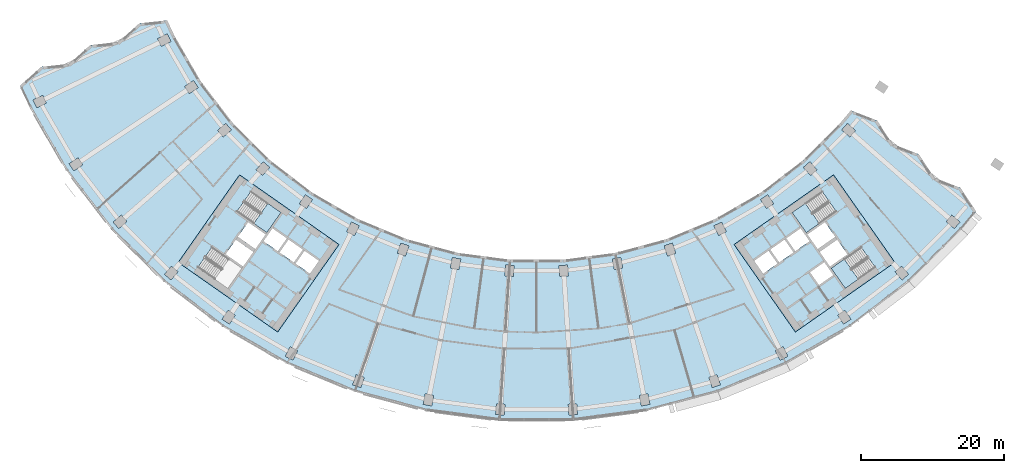
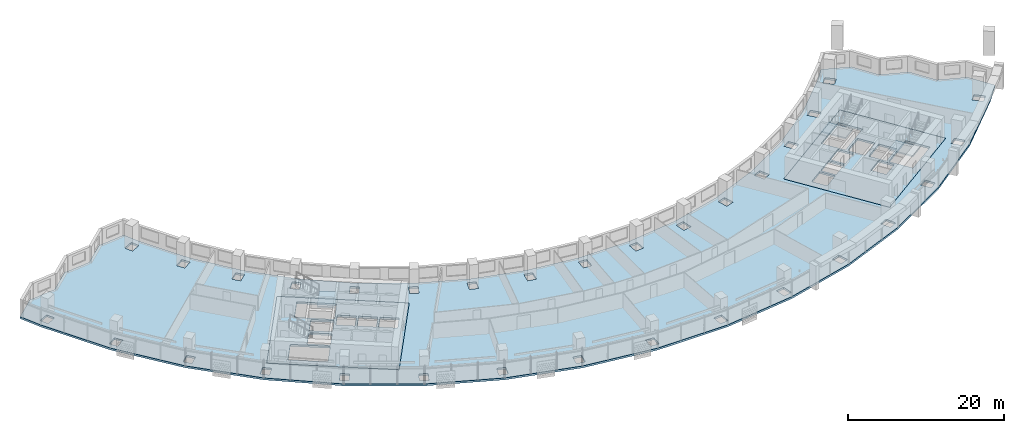
# One storey, part 2 of 29: 6 slabs, 3 elements without a shape of their own.
"""IFC4 building model written with IfcOpenShell, lengths in metres."""

from ifc_helpers import new_model, si_unit, direction, frame, origin, place, context, subcontext, project, spatial, polyline, outline, extrude, material, layer, layer_set, type_object, element, aggregate, save


model = new_model("IFC4")

# Units and contexts
model_context = context("Model", 3, precision=1e-05, world=origin(), true_north=direction((0.0, 1.0)))
body_context = subcontext(model_context, "Body", "Model", "MODEL_VIEW")
ifc_project = project(units=[si_unit("LENGTHUNIT", "METRE"), si_unit("AREAUNIT", "SQUARE_METRE"), si_unit("VOLUMEUNIT", "CUBIC_METRE"), si_unit("PLANEANGLEUNIT", "RADIAN"), si_unit("MASSUNIT", "GRAM", prefix="KILO")], contexts=[model_context])

# Site, building, storey
site_placement = place(None, origin())
site = spatial("IfcSite", under=ifc_project, at=site_placement, CompositionType="ELEMENT")
building_placement = place(site_placement, origin())
building = spatial("IfcBuilding", under=site, at=building_placement, Name="Qamariyya Broadcast Tower", CompositionType="ELEMENT")
storey_placement = place(building_placement, frame((0.0, 0.0, 129.10009765625)))
storey = spatial("IfcBuildingStorey", under=building, at=storey_placement, Name="L29", CompositionType="ELEMENT", Elevation=129.10009765625)

# Slabs
ifc_material_1 = material(Name="Concrete C40/50", Category="concrete")
ifc_layer_1 = layer(ifc_material_1, 0.300048828125)
ifc_layer_set_1 = layer_set([ifc_layer_1], Name="Core floor slab 300 mm Concrete C40/50")
slab_type_1 = type_object("IfcSlabType", Name="Core floor slab 300 mm Concrete C40/50", PredefinedType="FLOOR", material=ifc_layer_set_1)
slab_1_placement = place(storey_placement, frame((0.0, 0.0, -0.300048828125)))
element("IfcSlab", 1, at=slab_1_placement, inside=storey, type_object=slab_type_1, Name="k-W-L29-slab", PredefinedType="FLOOR", context=body_context, shape_type="SweptSolid", body=[
    extrude(outline(polyline([(-50.286376953125, -56.95751953125), (-36.32373046875, -66.734375), (-27.719970703125, -54.447021484375), (-41.6826171875, -44.67041015625), (-50.286376953125, -56.95751953125)]), holes=[polyline([(-31.80859375, -58.542724609375), (-33.8154296875, -57.137451171875), (-32.5537109375, -55.335205078125), (-30.546630859375, -56.740478515625), (-31.80859375, -58.542724609375)]), polyline([(-34.061279296875, -56.96533203125), (-36.068115234375, -55.56005859375), (-34.806396484375, -53.758056640625), (-32.79931640625, -55.163330078125), (-34.061279296875, -56.96533203125)]), polyline([(-36.31396484375, -55.387939453125), (-38.32080078125, -53.982666015625), (-37.058837890625, -52.1806640625), (-35.052001953125, -53.5859375), (-36.31396484375, -55.387939453125)]), polyline([(-39.742431640625, -55.489990234375), (-42.199951171875, -53.769287109375), (-43.6337890625, -55.817138671875), (-41.17626953125, -57.537841796875), (-39.742431640625, -55.489990234375)]), polyline([(-39.45556640625, -55.080322265625), (-41.9130859375, -53.359619140625), (-40.47900390625, -51.311767578125), (-38.021728515625, -53.032470703125), (-39.45556640625, -55.080322265625)]), polyline([(-42.06103515625, -49.837890625), (-37.849609375, -52.78662109375), (-35.870849609375, -49.960693359375), (-40.082275390625, -47.01171875), (-42.06103515625, -49.837890625)]), polyline([(-47.538818359375, -57.66064453125), (-43.3271484375, -60.609619140625), (-41.348388671875, -57.783447265625), (-45.559814453125, -54.834716796875), (-47.538818359375, -57.66064453125)])]), origin(), (0.0, 0.0, 1.0), 0.300048828125),
])
slab_2_placement = place(storey_placement, frame((0.0, 0.0, -0.300048828125)))
element("IfcSlab", 2, at=slab_2_placement, inside=storey, type_object=slab_type_1, Name="k-E-L29-slab", PredefinedType="FLOOR", context=body_context, shape_type="SweptSolid", body=[
    extrude(outline(polyline([(36.32373046875, -66.734375), (50.286376953125, -56.95751953125), (41.6826171875, -44.67041015625), (27.719970703125, -54.447021484375), (36.32373046875, -66.734375)]), holes=[polyline([(31.80859375, -58.542724609375), (33.8154296875, -57.137451171875), (32.5537109375, -55.335205078125), (30.546630859375, -56.740478515625), (31.80859375, -58.542724609375)]), polyline([(34.061279296875, -56.96533203125), (36.068115234375, -55.56005859375), (34.806396484375, -53.758056640625), (32.79931640625, -55.163330078125), (34.061279296875, -56.96533203125)]), polyline([(36.31396484375, -55.387939453125), (38.32080078125, -53.982666015625), (37.058837890625, -52.1806640625), (35.052001953125, -53.5859375), (36.31396484375, -55.387939453125)]), polyline([(38.378662109375, -58.3369140625), (40.3857421875, -56.931640625), (41.6474609375, -58.73388671875), (39.640625, -60.13916015625), (38.378662109375, -58.3369140625)]), polyline([(39.742431640625, -55.489990234375), (42.199951171875, -53.769287109375), (43.6337890625, -55.817138671875), (41.17626953125, -57.537841796875), (39.742431640625, -55.489990234375)]), polyline([(39.45556640625, -55.080322265625), (41.9130859375, -53.359619140625), (40.47900390625, -51.311767578125), (38.021728515625, -53.032470703125), (39.45556640625, -55.080322265625)]), polyline([(40.082275390625, -47.01171875), (35.870849609375, -49.960693359375), (37.849609375, -52.78662109375), (42.06103515625, -49.837890625), (40.082275390625, -47.01171875)]), polyline([(45.559814453125, -54.834716796875), (41.348388671875, -57.783447265625), (43.3271484375, -60.609619140625), (47.538818359375, -57.66064453125), (45.559814453125, -54.834716796875)])]), origin(), (0.0, 0.0, 1.0), 0.300048828125),
])
ifc_layer_2 = layer(ifc_material_1, 0.300048828125)
ifc_layer_set_2 = layer_set([ifc_layer_2], Name="Post-tensioned floor slab 300 C40/50")
slab_type_2 = type_object("IfcSlabType", Name="Post-tensioned floor slab 300 C40/50", PredefinedType="FLOOR", material=ifc_layer_set_2)
slab_3_placement = place(storey_placement, frame((0.0, 0.0, -0.300048828125)))
element("IfcSlab", 3, at=slab_3_placement, inside=storey, type_object=slab_type_2, Name="Floor slab S4 L29", PredefinedType="FLOOR", context=body_context, shape_type="SweptSolid", body=[
    extrude(outline(polyline([(-69.527587890625, -29.515869140625), (-72.493408203125, -32.1435546875), (-71.1220703125, -35.073486328125), (-65.935546875, -44.056640625), (-59.620849609375, -52.2861328125), (-52.2861328125, -59.620849609375), (-44.056640625, -65.935546875), (-35.073486328125, -71.1220703125), (-25.490234375, -75.091552734375), (-15.470703125, -77.7763671875), (-5.1865234375, -79.130126953125), (5.1865234375, -79.130126953125), (15.470703125, -77.7763671875), (25.490234375, -75.091552734375), (35.073486328125, -71.1220703125), (44.056640625, -65.935546875), (52.2861328125, -59.620849609375), (59.620849609375, -52.2861328125), (61.703857421875, -49.81103515625), (59.519287109375, -46.50537109375), (55.842041015625, -45.0791015625), (53.65673828125, -41.772705078125), (49.980224609375, -40.34716796875), (47.7939453125, -37.0400390625), (44.11865234375, -35.615234375), (42.62939453125, -37.385009765625), (37.385009765625, -42.62939453125), (31.500732421875, -47.144287109375), (25.077880859375, -50.852783203125), (18.2255859375, -53.69091796875), (11.0615234375, -55.610595703125), (3.708251953125, -56.57861328125), (-3.708251953125, -56.57861328125), (-11.0615234375, -55.610595703125), (-18.2255859375, -53.69091796875), (-25.077880859375, -50.852783203125), (-31.500732421875, -47.144287109375), (-37.385009765625, -42.62939453125), (-42.62939453125, -37.385009765625), (-47.144287109375, -31.500732421875), (-50.852783203125, -25.077880859375), (-51.833251953125, -22.98291015625), (-55.751953125, -23.407958984375), (-58.719970703125, -26.036376953125), (-62.639892578125, -26.4619140625), (-65.606689453125, -29.090087890625), (-69.527587890625, -29.515869140625)]), holes=[polyline([(-5.73291015625, -78.292724609375), (-5.634765625, -76.7958984375), (-4.437255859375, -76.874267578125), (-4.535400390625, -78.37109375), (-5.73291015625, -78.292724609375)]), polyline([(-15.903076171875, -76.87451171875), (-15.6103515625, -75.4033203125), (-14.43359375, -75.637451171875), (-14.72607421875, -77.108642578125), (-15.903076171875, -76.87451171875)]), polyline([(-25.80126953125, -74.14111328125), (-25.319091796875, -72.720703125), (-24.1826171875, -73.1064453125), (-24.664794921875, -74.52685546875), (-25.80126953125, -74.14111328125)]), polyline([(-35.2578125, -70.13916015625), (-34.59423828125, -68.7939453125), (-33.51806640625, -69.324462890625), (-34.181640625, -70.669921875), (-35.2578125, -70.13916015625)]), polyline([(-44.111083984375, -64.93701171875), (-43.27783203125, -63.689697265625), (-42.280029296875, -64.3564453125), (-43.11328125, -65.603759765625), (-44.111083984375, -64.93701171875)]), polyline([(-52.209716796875, -58.623779296875), (-51.220703125, -57.49609375), (-50.318603515625, -58.287353515625), (-51.3076171875, -59.4150390625), (-52.209716796875, -58.623779296875)]), polyline([(-12.098876953125, -57.749267578125), (-11.80615234375, -56.278076171875), (-10.629150390625, -56.51220703125), (-10.921875, -57.9833984375), (-12.098876953125, -57.749267578125)]), polyline([(-41.6826171875, -44.67041015625), (-27.719970703125, -54.447021484375), (-36.32373046875, -66.734375), (-50.286376953125, -56.95751953125), (-41.6826171875, -44.67041015625)]), polyline([(-19.051025390625, -54.255615234375), (-17.91455078125, -54.641357421875), (-18.396728515625, -56.061767578125), (-19.533203125, -55.676025390625), (-19.051025390625, -54.255615234375)]), polyline([(-26.633056640625, -52.650146484375), (-25.9697265625, -51.3046875), (-24.8935546875, -51.83544921875), (-25.556884765625, -53.180908203125), (-26.633056640625, -52.650146484375)]), polyline([(-59.4150390625, -51.3076171875), (-58.287353515625, -50.318603515625), (-57.49609375, -51.220703125), (-58.623779296875, -52.209716796875), (-59.4150390625, -51.3076171875)]), polyline([(-33.277587890625, -48.723388671875), (-32.444091796875, -47.47607421875), (-31.4462890625, -48.142822265625), (-32.27978515625, -49.39013671875), (-33.277587890625, -48.723388671875)]), polyline([(-39.3525390625, -43.962890625), (-38.363525390625, -42.835205078125), (-37.461181640625, -43.62646484375), (-38.4501953125, -44.754150390625), (-39.3525390625, -43.962890625)]), polyline([(-65.603759765625, -43.11328125), (-64.3564453125, -42.280029296875), (-63.689697265625, -43.27783203125), (-64.93701171875, -44.111083984375), (-65.603759765625, -43.11328125)]), polyline([(-44.754150390625, -38.4501953125), (-43.62646484375, -37.461181640625), (-42.835205078125, -38.363525390625), (-43.962890625, -39.3525390625), (-44.754150390625, -38.4501953125)]), polyline([(-70.669921875, -34.181640625), (-69.324462890625, -33.51806640625), (-68.7939453125, -34.59423828125), (-70.13916015625, -35.2578125), (-70.669921875, -34.181640625)]), polyline([(-48.142822265625, -31.4462890625), (-47.47607421875, -32.444091796875), (-48.723388671875, -33.277587890625), (-49.39013671875, -32.27978515625), (-48.142822265625, -31.4462890625)]), polyline([(-51.83544921875, -24.8935546875), (-51.3046875, -25.9697265625), (-52.650146484375, -26.633056640625), (-53.180908203125, -25.556884765625), (-51.83544921875, -24.8935546875)]), polyline([(4.535400390625, -78.37109375), (4.437255859375, -76.874267578125), (5.634765625, -76.7958984375), (5.73291015625, -78.292724609375), (4.535400390625, -78.37109375)]), polyline([(14.72607421875, -77.108642578125), (14.43359375, -75.637451171875), (15.6103515625, -75.4033203125), (15.903076171875, -76.87451171875), (14.72607421875, -77.108642578125)]), polyline([(24.664794921875, -74.52685546875), (24.1826171875, -73.1064453125), (25.319091796875, -72.720703125), (25.80126953125, -74.14111328125), (24.664794921875, -74.52685546875)]), polyline([(34.181640625, -70.669921875), (33.51806640625, -69.324462890625), (34.59423828125, -68.7939453125), (35.2578125, -70.13916015625), (34.181640625, -70.669921875)]), polyline([(43.11328125, -65.603759765625), (42.280029296875, -64.3564453125), (43.27783203125, -63.689697265625), (44.111083984375, -64.93701171875), (43.11328125, -65.603759765625)]), polyline([(51.3076171875, -59.4150390625), (50.318603515625, -58.287353515625), (51.220703125, -57.49609375), (52.209716796875, -58.623779296875), (51.3076171875, -59.4150390625)]), polyline([(3.260009765625, -58.912841796875), (3.161865234375, -57.416015625), (4.359375, -57.337646484375), (4.45751953125, -58.83447265625), (3.260009765625, -58.912841796875)]), polyline([(-4.359375, -57.337646484375), (-3.161865234375, -57.416015625), (-3.260009765625, -58.912841796875), (-4.45751953125, -58.83447265625), (-4.359375, -57.337646484375)]), polyline([(10.629150390625, -56.51220703125), (11.80615234375, -56.278076171875), (12.098876953125, -57.749267578125), (10.921875, -57.9833984375), (10.629150390625, -56.51220703125)]), polyline([(36.32373046875, -66.734375), (27.719970703125, -54.447021484375), (41.6826171875, -44.67041015625), (50.286376953125, -56.95751953125), (36.32373046875, -66.734375)]), polyline([(18.396728515625, -56.061767578125), (17.91455078125, -54.641357421875), (19.051025390625, -54.255615234375), (19.533203125, -55.676025390625), (18.396728515625, -56.061767578125)]), polyline([(25.556884765625, -53.180908203125), (24.8935546875, -51.83544921875), (25.9697265625, -51.3046875), (26.633056640625, -52.650146484375), (25.556884765625, -53.180908203125)]), polyline([(58.623779296875, -52.209716796875), (57.49609375, -51.220703125), (58.287353515625, -50.318603515625), (59.4150390625, -51.3076171875), (58.623779296875, -52.209716796875)]), polyline([(32.27978515625, -49.39013671875), (31.4462890625, -48.142822265625), (32.444091796875, -47.47607421875), (33.277587890625, -48.723388671875), (32.27978515625, -49.39013671875)]), polyline([(38.4501953125, -44.754150390625), (37.461181640625, -43.62646484375), (38.363525390625, -42.835205078125), (39.3525390625, -43.962890625), (38.4501953125, -44.754150390625)]), polyline([(42.835205078125, -38.363525390625), (43.62646484375, -37.461181640625), (44.754150390625, -38.4501953125), (43.962890625, -39.3525390625), (42.835205078125, -38.363525390625)])]), origin(), (0.0, 0.0, 1.0), 0.300048828125),
])

# Stair, slab
ifc_material_2 = material(Name="Concrete C50/60", Category="concrete")
stair_type = type_object("IfcStairType", Name="Exit stair 22 risers of 173 mm", PredefinedType="HALF_TURN_STAIR", material=ifc_material_2)
stair_1_placement = place(storey_placement, origin())
stair_1 = element("IfcStair", 4, at=stair_1_placement, inside=storey, type_object=stair_type, Name="L29 Stair W2", PredefinedType="HALF_TURN_STAIR")
ifc_layer_3 = layer(ifc_material_2, 0.199951171875)
ifc_layer_set_3 = layer_set([ifc_layer_3], Name="Stair landing")
slab_type_3 = type_object("IfcSlabType", Name="Stair landing", PredefinedType="LANDING", material=ifc_layer_set_3)
slab_4_placement = place(storey_placement, frame((0.0, 0.0, 1.699951171875)))
slab_4 = element("IfcSlab", 5, at=slab_4_placement, type_object=slab_type_3, Name="ST-W2 landing 1", PredefinedType="LANDING", context=body_context, shape_type="SweptSolid", body=[
    extrude(outline(polyline([(-39.692138671875, -51.49658203125), (-37.849609375, -52.78662109375), (-35.870849609375, -49.960693359375), (-37.71337890625, -48.67041015625), (-39.692138671875, -51.49658203125)])), origin(), (0.0, 0.0, 1.0), 0.199951171875),
])
aggregate(stair_1, [slab_4])

stair_2_placement = place(storey_placement, origin())
stair_2 = element("IfcStair", 6, at=stair_2_placement, inside=storey, type_object=stair_type, Name="L29 Stair E2", PredefinedType="HALF_TURN_STAIR")
slab_5_placement = place(storey_placement, frame((0.0, 0.0, 1.699951171875)))
slab_5 = element("IfcSlab", 7, at=slab_5_placement, type_object=slab_type_3, Name="ST-E2 landing 1", PredefinedType="LANDING", context=body_context, shape_type="SweptSolid", body=[
    extrude(outline(polyline([(37.71337890625, -48.67041015625), (35.870849609375, -49.960693359375), (37.849609375, -52.78662109375), (39.692138671875, -51.49658203125), (37.71337890625, -48.67041015625)])), origin(), (0.0, 0.0, 1.0), 0.199951171875),
])
aggregate(stair_2, [slab_5])

stair_3_placement = place(storey_placement, origin())
stair_3 = element("IfcStair", 8, at=stair_3_placement, inside=storey, type_object=stair_type, Name="L29 Stair E1", PredefinedType="HALF_TURN_STAIR")
slab_6_placement = place(storey_placement, frame((0.0, 0.0, 1.699951171875)))
slab_6 = element("IfcSlab", 9, at=slab_6_placement, type_object=slab_type_3, Name="ST-E1 landing 1", PredefinedType="LANDING", context=body_context, shape_type="SweptSolid", body=[
    extrude(outline(polyline([(43.19091796875, -56.493408203125), (41.348388671875, -57.783447265625), (43.3271484375, -60.609619140625), (45.169677734375, -59.319580078125), (43.19091796875, -56.493408203125)])), origin(), (0.0, 0.0, 1.0), 0.199951171875),
])
aggregate(stair_3, [slab_6])

save(model, "model.ifc")
